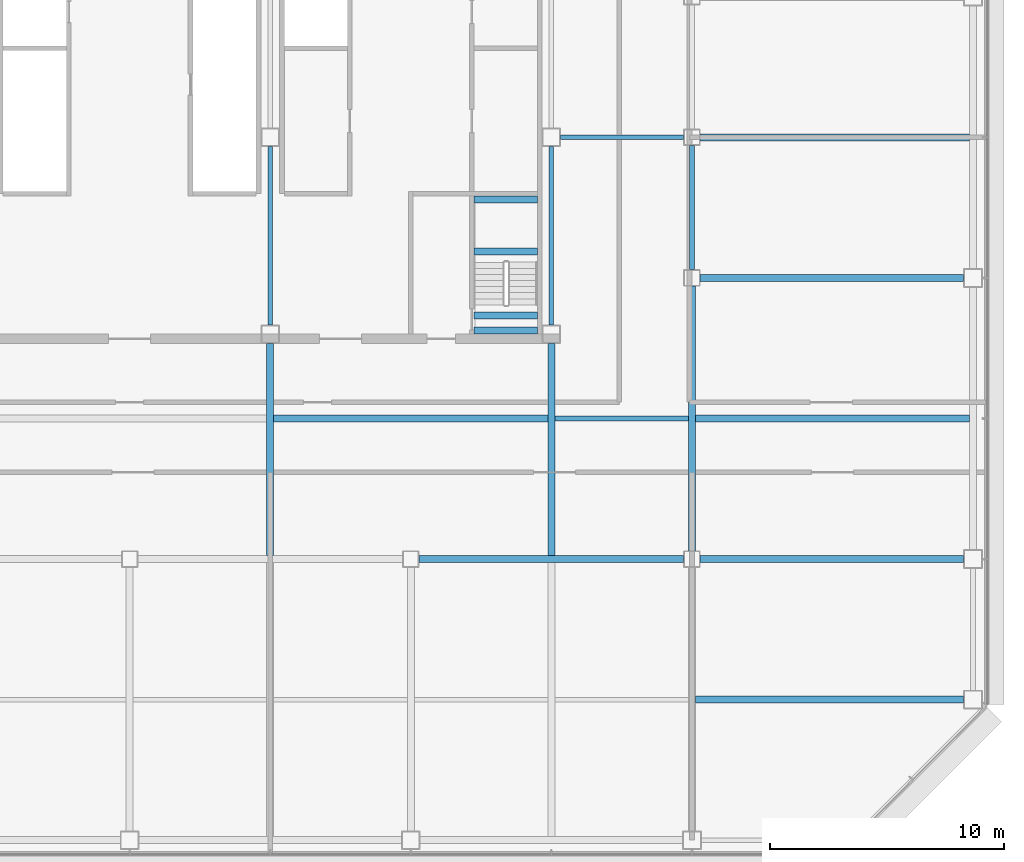
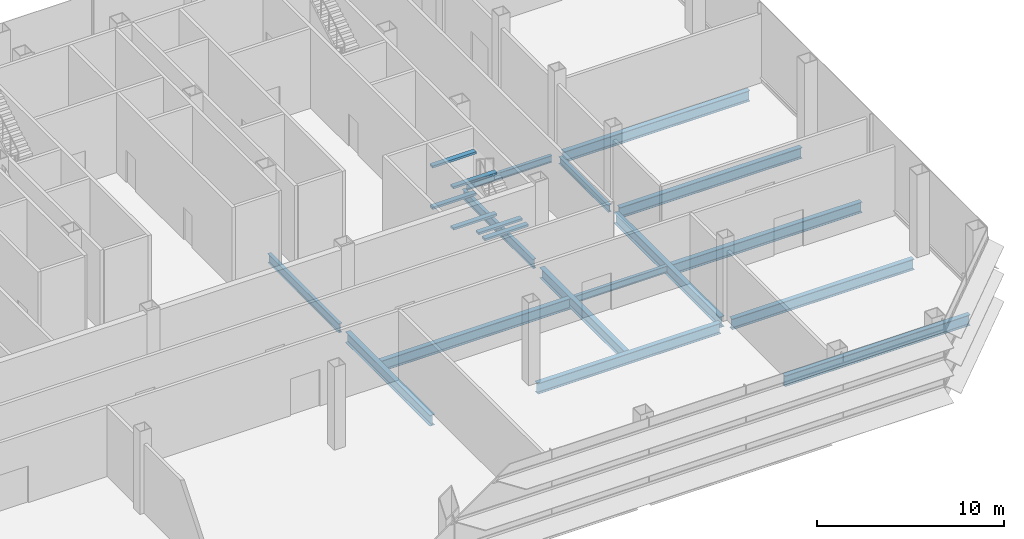
# One storey, part 8 of 23: 21 beams.
"""IFC4 building model written with IfcOpenShell, lengths in metres."""

from ifc_helpers import new_model, si_unit, direction, frame, origin, origin_2d, place, context, subcontext, project, spatial, rectangle, i_section, extrude, material, material_profile, profile_set, type_object, element, save


model = new_model("IFC4")

# Units and contexts
model_context = context("Model", 3, precision=1e-05, world=origin(), true_north=direction((0.0, 1.0)))
body_context = subcontext(model_context, "Body", "Model", "MODEL_VIEW")
ifc_project = project(units=[si_unit("LENGTHUNIT", "METRE"), si_unit("AREAUNIT", "SQUARE_METRE"), si_unit("VOLUMEUNIT", "CUBIC_METRE"), si_unit("PLANEANGLEUNIT", "RADIAN"), si_unit("MASSUNIT", "GRAM", prefix="KILO")], contexts=[model_context])

# Site, building, storey
site_placement = place(None, origin())
site = spatial("IfcSite", under=ifc_project, at=site_placement, CompositionType="ELEMENT")
building_placement = place(site_placement, origin())
building = spatial("IfcBuilding", under=site, at=building_placement, Name="Sorahane Residences", CompositionType="ELEMENT")
storey_placement = place(building_placement, frame((0.0, 0.0, 114.199951171875)))
storey = spatial("IfcBuildingStorey", under=building, at=storey_placement, Name="L25", CompositionType="ELEMENT", Elevation=114.199951171875)

# Beams
ifc_material_1 = material(Name="Concrete C40", Category="concrete")
ifc_material_profile_1 = material_profile(ifc_material_1, rectangle(XDim=0.300048828125, YDim=0.139892578125, at=origin_2d()), Name="300x140")
ifc_profile_set_1 = profile_set([ifc_material_profile_1], Name="Concrete C40")
beam_type_1 = type_object("IfcBeamType", Name="RC landing beam 300 x 140 Concrete C40", PredefinedType="BEAM", material=ifc_profile_set_1)
for number, where, z_axis, x_axis, name in (
    (1, (38.699951171875, 25.1201171875, 1.080078125), (1.0, 0.0, 0.0), (0.0, 1.0, 0.0), "Landing beam"),
    (2, (38.699951171875, 27.35009765625, 1.080078125), (1.0, 0.0, 0.0), (0.0, 1.0, 0.0), "Landing beam"),
    (3, (38.699951171875, 21.75, 2.429931640625), (1.0, 0.0, 0.0), (0.0, 1.0, 0.0), "Landing beam"),
    (4, (38.699951171875, 22.39990234375, 2.429931640625), (1.0, 0.0, 0.0), (0.0, 1.0, 0.0), "Landing beam"),
    (5, (38.699951171875, 25.1201171875, 3.780029296875), (1.0, 0.0, 0.0), (0.0, 1.0, 0.0), "Landing beam"),
    (6, (38.699951171875, 27.35009765625, 3.780029296875), (1.0, 0.0, 0.0), (0.0, 1.0, 0.0), "Landing beam"),
):
    element("IfcBeam", number, at=place(storey_placement, frame(where, z_axis=z_axis, x_axis=x_axis)), inside=storey, type_object=beam_type_1, Name=name, PredefinedType="BEAM", context=body_context, shape_type="SweptSolid", body=[
        extrude(rectangle(XDim=0.300048828125, YDim=0.139892578125, at=origin_2d()), origin(), (0.0, 0.0, 1.0), 2.699951171875),
    ])
ifc_material_2 = material(Name="Steel Q355B", Category="steel")
ifc_material_profile_2 = material_profile(ifc_material_2, i_section(OverallWidth=0.199951171875, OverallDepth=0.449951171875, WebThickness=0.009033203125, FlangeThickness=0.013916015625, FilletRadius=0.02001953125, at=origin_2d()), Name="HN 450x200x9x14")
ifc_profile_set_2 = profile_set([ifc_material_profile_2], Name="Steel Q355B")
beam_type_2 = type_object("IfcBeamType", Name="Steel floor beam HN 450x200x9x14 Q355B", PredefinedType="BEAM", material=ifc_profile_set_2)
beam_1_placement = place(storey_placement, frame((48.0, 24.35009765625, -0.445068359375), z_axis=(0.0, 1.0, 0.0), x_axis=(-1.0, 0.0, 0.0)))
element("IfcBeam", 7, at=beam_1_placement, inside=storey, type_object=beam_type_2, Name="Beam L25 060", PredefinedType="BEAM", context=body_context, shape_type="SweptSolid", body=[
    extrude(i_section(OverallWidth=0.199951171875, OverallDepth=0.449951171875, WebThickness=0.009033203125, FlangeThickness=0.013916015625, FilletRadius=0.02001953125, at=origin_2d()), origin(), (0.0, 0.0, 1.0), 5.2998046875),
])
beam_2_placement = place(storey_placement, frame((42.14990234375, 18.0, -0.445068359375), z_axis=(1.0, 0.0, 0.0), x_axis=(0.0, 1.0, 0.0)))
element("IfcBeam", 8, at=beam_2_placement, inside=storey, type_object=beam_type_2, Name="Beam L25 083", PredefinedType="BEAM", context=body_context, shape_type="SweptSolid", body=[
    extrude(i_section(OverallWidth=0.199951171875, OverallDepth=0.449951171875, WebThickness=0.009033203125, FlangeThickness=0.013916015625, FilletRadius=0.02001953125, at=origin_2d()), origin(), (0.0, 0.0, 1.0), 5.7001953125),
])
beam_3_placement = place(storey_placement, frame((42.39990234375, 30.0, -0.445068359375), z_axis=(1.0, 0.0, 0.0), x_axis=(0.0, 1.0, 0.0)))
element("IfcBeam", 9, at=beam_3_placement, inside=storey, type_object=beam_type_2, Name="Beam L25 087", PredefinedType="BEAM", context=body_context, shape_type="SweptSolid", body=[
    extrude(i_section(OverallWidth=0.199951171875, OverallDepth=0.449951171875, WebThickness=0.009033203125, FlangeThickness=0.013916015625, FilletRadius=0.02001953125, at=origin_2d()), origin(), (0.0, 0.0, 1.0), 5.25),
])
ifc_material_3 = material(Name="Steel Q355B", Category="steel")
ifc_material_profile_3 = material_profile(ifc_material_3, i_section(OverallWidth=0.199951171875, OverallDepth=0.60009765625, WebThickness=0.010986328125, FlangeThickness=0.01708984375, FilletRadius=0.02392578125, at=origin_2d()), Name="HN 600x200x11x17")
ifc_profile_set_3 = profile_set([ifc_material_profile_3], Name="Steel Q355B")
beam_type_3 = type_object("IfcBeamType", Name="Steel floor beam HN 600x200x11x17 Q355B", PredefinedType="BEAM", material=ifc_profile_set_3)
for number, where, z_axis, x_axis, name in (
    (10, (30.0, 22.0, -0.52001953125), (0.0, 1.0, 0.0), (-1.0, 0.0, 0.0), "Beam L25 046"),
    (11, (42.0, 22.0, -0.52001953125), (0.0, 1.0, 0.0), (-1.0, 0.0, 0.0), "Beam L25 054"),
):
    element("IfcBeam", number, at=place(storey_placement, frame(where, z_axis=z_axis, x_axis=x_axis)), inside=storey, type_object=beam_type_3, Name=name, PredefinedType="BEAM", context=body_context, shape_type="SweptSolid", body=[
        extrude(i_section(OverallWidth=0.199951171875, OverallDepth=0.60009765625, WebThickness=0.010986328125, FlangeThickness=0.01708984375, FilletRadius=0.02392578125, at=origin_2d()), origin(), (0.0, 0.0, 1.0), 7.60009765625),
    ])
ifc_material_4 = material(Name="Steel Q355B", Category="steel")
ifc_material_profile_4 = material_profile(ifc_material_4, i_section(OverallWidth=0.300048828125, OverallDepth=0.699951171875, WebThickness=0.012939453125, FlangeThickness=0.02392578125, FilletRadius=0.028076171875, at=origin_2d()), Name="HN 700x300x13x24")
ifc_profile_set_4 = profile_set([ifc_material_profile_4], Name="Steel Q355B")
beam_type_4 = type_object("IfcBeamType", Name="Steel floor beam HN 700x300x13x24 Q355B", PredefinedType="BEAM", material=ifc_profile_set_4)
beam_4_placement = place(storey_placement, frame((36.35009765625, 12.0, -0.570068359375), z_axis=(1.0, 0.0, 0.0), x_axis=(0.0, 1.0, 0.0)))
element("IfcBeam", 12, at=beam_4_placement, inside=storey, type_object=beam_type_4, Name="Beam L25 009", PredefinedType="BEAM", context=body_context, shape_type="SweptSolid", body=[
    extrude(i_section(OverallWidth=0.300048828125, OverallDepth=0.699951171875, WebThickness=0.012939453125, FlangeThickness=0.02392578125, FilletRadius=0.028076171875, at=origin_2d()), origin(), (0.0, 0.0, 1.0), 11.2998046875),
])
for number, where, z_axis, x_axis, name in (
    (13, (48.35009765625, 12.0, -0.570068359375), (1.0, 0.0, 0.0), (0.0, 1.0, 0.0), "Beam L25 010"),
    (14, (48.35009765625, 24.0, -0.570068359375), (1.0, 0.0, 0.0), (0.0, 1.0, 0.0), "Beam L25 012"),
):
    element("IfcBeam", number, at=place(storey_placement, frame(where, z_axis=z_axis, x_axis=x_axis)), inside=storey, type_object=beam_type_4, Name=name, PredefinedType="BEAM", context=body_context, shape_type="SweptSolid", body=[
        extrude(i_section(OverallWidth=0.300048828125, OverallDepth=0.699951171875, WebThickness=0.012939453125, FlangeThickness=0.02392578125, FilletRadius=0.028076171875, at=origin_2d()), origin(), (0.0, 0.0, 1.0), 11.25),
    ])
for number, where, z_axis, x_axis, name in (
    (15, (30.0, 12.14990234375, -0.570068359375), (0.0, 1.0, 0.0), (-1.0, 0.0, 0.0), "Beam L25 045"),
    (16, (42.0, 12.14990234375, -0.570068359375), (0.0, 1.0, 0.0), (-1.0, 0.0, 0.0), "Beam L25 053"),
):
    element("IfcBeam", number, at=place(storey_placement, frame(where, z_axis=z_axis, x_axis=x_axis)), inside=storey, type_object=beam_type_4, Name=name, PredefinedType="BEAM", context=body_context, shape_type="SweptSolid", body=[
        extrude(i_section(OverallWidth=0.300048828125, OverallDepth=0.699951171875, WebThickness=0.012939453125, FlangeThickness=0.02392578125, FilletRadius=0.028076171875, at=origin_2d()), origin(), (0.0, 0.0, 1.0), 9.050048828125),
    ])
beam_5_placement = place(storey_placement, frame((48.0, 12.35009765625, -0.570068359375), z_axis=(0.0, 1.0, 0.0), x_axis=(-1.0, 0.0, 0.0)))
element("IfcBeam", 17, at=beam_5_placement, inside=storey, type_object=beam_type_4, Name="Beam L25 059", PredefinedType="BEAM", context=body_context, shape_type="SweptSolid", body=[
    extrude(i_section(OverallWidth=0.300048828125, OverallDepth=0.699951171875, WebThickness=0.012939453125, FlangeThickness=0.02392578125, FilletRadius=0.028076171875, at=origin_2d()), origin(), (0.0, 0.0, 1.0), 11.2998046875),
])
beam_6_placement = place(storey_placement, frame((48.14990234375, 6.0, -0.570068359375), z_axis=(1.0, 0.0, 0.0), x_axis=(0.0, 1.0, 0.0)))
element("IfcBeam", 18, at=beam_6_placement, inside=storey, type_object=beam_type_4, Name="Beam L25 077", PredefinedType="BEAM", context=body_context, shape_type="SweptSolid", body=[
    extrude(i_section(OverallWidth=0.300048828125, OverallDepth=0.699951171875, WebThickness=0.012939453125, FlangeThickness=0.02392578125, FilletRadius=0.028076171875, at=origin_2d()), origin(), (0.0, 0.0, 1.0), 11.4501953125),
])
for number, where, z_axis, x_axis, name in (
    (19, (30.14990234375, 18.0, -0.570068359375), (1.0, 0.0, 0.0), (0.0, 1.0, 0.0), "Beam L25 082"),
    (20, (48.14990234375, 18.0, -0.570068359375), (1.0, 0.0, 0.0), (0.0, 1.0, 0.0), "Beam L25 084"),
):
    element("IfcBeam", number, at=place(storey_placement, frame(where, z_axis=z_axis, x_axis=x_axis)), inside=storey, type_object=beam_type_4, Name=name, PredefinedType="BEAM", context=body_context, shape_type="SweptSolid", body=[
        extrude(i_section(OverallWidth=0.300048828125, OverallDepth=0.699951171875, WebThickness=0.012939453125, FlangeThickness=0.02392578125, FilletRadius=0.028076171875, at=origin_2d()), origin(), (0.0, 0.0, 1.0), 11.7001953125),
    ])
beam_7_placement = place(storey_placement, frame((48.35009765625, 30.0, -0.570068359375), z_axis=(1.0, 0.0, 0.0), x_axis=(0.0, 1.0, 0.0)))
element("IfcBeam", 21, at=beam_7_placement, inside=storey, type_object=beam_type_4, Name="Beam L25 088", PredefinedType="BEAM", context=body_context, shape_type="SweptSolid", body=[
    extrude(i_section(OverallWidth=0.300048828125, OverallDepth=0.699951171875, WebThickness=0.012939453125, FlangeThickness=0.02392578125, FilletRadius=0.028076171875, at=origin_2d()), origin(), (0.0, 0.0, 1.0), 11.5),
])

save(model, "model.ifc")
